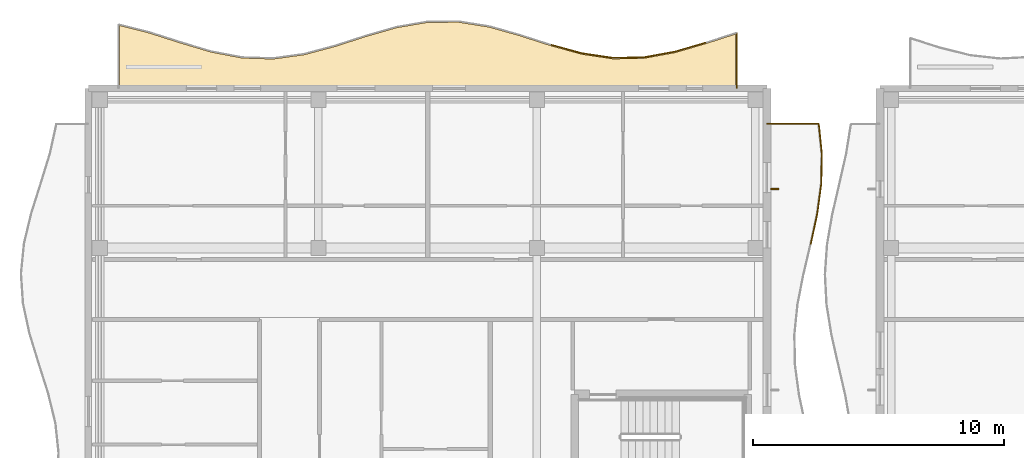
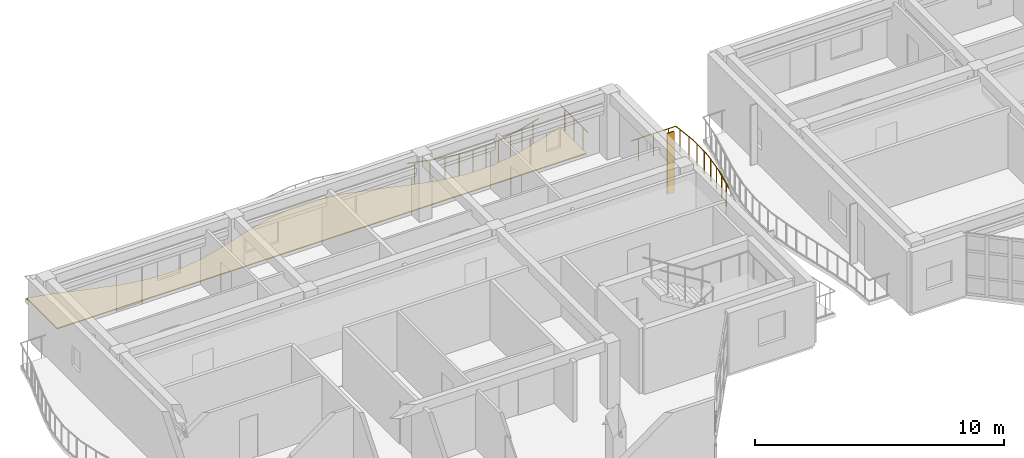
# One storey, part 58 of 76: 11 railings, 1 covering, 1 shading device.
"""IFC4 building model written with IfcOpenShell, lengths in metres."""

import ifcopenshell
import ifcopenshell.guid

model = None  # the IFC model being written
_history = None  # IfcOwnerHistory: only IFC2X3 demands one
_inside = {}  # id of a spatial element -> (the spatial element, [elements in it])
_under = {}  # id of a project, library or spatial element -> (it, [spatial elements below it])
_declared = {}  # id of a project -> (the project, [libraries it declares])
_typed = {}  # id of a type object -> (the type object, [elements of that type])
_made_of = {}  # id of a material, layer set ... -> (it, [elements and type objects made of it])


def new_model(schema):
    """Start an empty IFC model of exactly this schema.

    Asked for "IFC4X3", IfcOpenShell would pick the latest addendum, in which some entities
    have other attributes; the version numbers below select the first issue.
    IFC2X3 requires an IfcOwnerHistory on every rooted entity: one is made here for all.
    """
    global model, _history
    if schema == "IFC4X3":
        model = ifcopenshell.file(schema_version=(4, 3, 0, 0))
    else:
        model = ifcopenshell.file(schema=schema)
    _inside.clear()
    _under.clear()
    _declared.clear()
    _typed.clear()
    _made_of.clear()
    _history = None
    if model.schema == "IFC2X3":
        org = make("IfcOrganization", Name="unknown")
        user = make(
            "IfcPersonAndOrganization",
            ThePerson=make("IfcPerson", FamilyName="unknown"),
            TheOrganization=org,
        )
        app = make(
            "IfcApplication",
            ApplicationDeveloper=org,
            Version="unknown",
            ApplicationFullName="unknown",
            ApplicationIdentifier="unknown",
        )
        _history = make(
            "IfcOwnerHistory",
            OwningUser=user,
            OwningApplication=app,
            ChangeAction="ADDED",
            CreationDate=0,
        )
    return model


def make(cls, **values):
    """One entity of the class cls with the attributes given. An attribute that is None is left unset."""
    return model.create_entity(
        cls, **{name: value for name, value in values.items() if value is not None}
    )


def rooted(cls, **values):
    """An entity with a GlobalId (a new one), such as an element, a storey or a relation."""
    return make(cls, GlobalId=ifcopenshell.guid.new(), OwnerHistory=_history, **values)


def si_unit(unit_type, name, prefix=None):
    """IfcSIUnit, for example si_unit("LENGTHUNIT", "METRE", prefix="MILLI")."""
    return make("IfcSIUnit", UnitType=unit_type, Prefix=prefix, Name=name)


def assignment(units):
    """IfcUnitAssignment: the units of a project."""
    return None if units is None else make("IfcUnitAssignment", Units=units)


def point(xyz):
    """IfcCartesianPoint."""
    return None if xyz is None else make("IfcCartesianPoint", Coordinates=xyz)


def direction(xyz):
    """IfcDirection."""
    return None if xyz is None else make("IfcDirection", DirectionRatios=xyz)


def frame(location, z_axis=None, x_axis=None):
    """IfcAxis2Placement3D, a coordinate frame: its origin and axes. An axis left out is left unset."""
    return make(
        "IfcAxis2Placement3D",
        Location=point(location),
        Axis=direction(z_axis),
        RefDirection=direction(x_axis),
    )


def frame_2d(location, x_axis=None):
    """IfcAxis2Placement2D, a coordinate frame in the plane: its origin and x axis."""
    return make(
        "IfcAxis2Placement2D", Location=point(location), RefDirection=direction(x_axis)
    )


def origin():
    """The frame at (0, 0, 0) with its axes left unset."""
    return frame((0.0, 0.0, 0.0))


def origin_2d():
    """The frame at (0, 0) in the plane with its x axis left unset."""
    return frame_2d((0.0, 0.0))


def place(relative_to, where):
    """IfcLocalPlacement: puts the frame where relative to a parent placement (None: the world)."""
    return make(
        "IfcLocalPlacement", PlacementRelTo=relative_to, RelativePlacement=where
    )


def context(
    kind, dimensions, precision=None, world=None, true_north=None, identifier=None
):
    """IfcGeometricRepresentationContext, for example the 3D "Model" context."""
    return make(
        "IfcGeometricRepresentationContext",
        ContextIdentifier=identifier,
        ContextType=kind,
        CoordinateSpaceDimension=dimensions,
        Precision=precision,
        WorldCoordinateSystem=world,
        TrueNorth=true_north,
    )


def subcontext(parent, identifier, kind, view, scale=None):
    """IfcGeometricRepresentationSubContext, for example "Body" below "Model"."""
    return make(
        "IfcGeometricRepresentationSubContext",
        ContextIdentifier=identifier,
        ContextType=kind,
        ParentContext=parent,
        TargetScale=scale,
        TargetView=view,
    )


def project(units=None, contexts=None):
    """IfcProject with its units and contexts."""
    return rooted(
        "IfcProject",
        Name="project",
        RepresentationContexts=contexts,
        UnitsInContext=assignment(units),
    )


def spatial(cls, under=None, at=None, **own):
    """A site, building, storey or space (cls), placed at a placement, below another one or the project."""
    s = rooted(cls, ObjectPlacement=at, **own)
    if under is not None:
        _under.setdefault(under.id(), (under, []))[1].append(s)
    return s


def polyline(points):
    """IfcPolyline through the points."""
    return make("IfcPolyline", Points=[point(p) for p in points])


def profile(cls, at=None, kind="AREA", **sizes):
    """A parametric profile (cls). Its sizes go by their IFC names, for example OverallWidth=200.0."""
    return make(cls, ProfileType=kind, Position=at, **sizes)


def rectangle(**sizes):
    """IfcRectangleProfileDef."""
    return profile("IfcRectangleProfileDef", **sizes)


def circle(**sizes):
    """IfcCircleProfileDef."""
    return profile("IfcCircleProfileDef", **sizes)


def outline(outer, holes=None, kind="AREA"):
    """IfcArbitraryClosedProfileDef: a profile drawn as a closed curve; with holes, ...WithVoids."""
    if holes is None:
        return make("IfcArbitraryClosedProfileDef", ProfileType=kind, OuterCurve=outer)
    return make(
        "IfcArbitraryProfileDefWithVoids",
        ProfileType=kind,
        OuterCurve=outer,
        InnerCurves=holes,
    )


def extrude(swept, where, along, depth):
    """IfcExtrudedAreaSolid: the profile swept, set in the frame where, extruded along a direction by depth."""
    return make(
        "IfcExtrudedAreaSolid",
        SweptArea=swept,
        Position=where,
        ExtrudedDirection=direction(along),
        Depth=depth,
    )


def shape(context_of_items, identifier, shape_type, items):
    """IfcShapeRepresentation: the items that make up one representation, for example the "Body"."""
    return make(
        "IfcShapeRepresentation",
        ContextOfItems=context_of_items,
        RepresentationIdentifier=identifier,
        RepresentationType=shape_type,
        Items=items,
    )


def material(Name=None, Category=None):
    """IfcMaterial."""
    return make("IfcMaterial", Name=Name, Category=Category)


def layer(
    of_material, thickness, ventilated=None, Name=None, Category=None, Priority=None
):
    """IfcMaterialLayer: one layer of a wall or slab, of a material (None: an air gap)."""
    return make(
        "IfcMaterialLayer",
        Material=of_material,
        LayerThickness=thickness,
        IsVentilated=ventilated,
        Name=Name,
        Category=Category,
        Priority=Priority,
    )


def layer_set(layers, Name=None):
    """IfcMaterialLayerSet."""
    return make("IfcMaterialLayerSet", MaterialLayers=layers, LayerSetName=Name)


def made_of(thing, what):
    """Note that an element or type object is made of a material, layer set ...; save() writes the relation."""
    if what is not None:
        _made_of.setdefault(what.id(), (what, []))[1].append(thing)
    return thing


def type_object(cls, material=None, **own):
    """A type object (cls), such as IfcWallType, which elements share."""
    return made_of(rooted(cls, **own), material)


def element(
    cls,
    number,
    at=None,
    inside=None,
    cuts=None,
    type_object=None,
    material=None,
    context=None,
    identifier="Body",
    shape_type=None,
    held_by="IfcProductDefinitionShape",
    body=None,
    shapes=None,
    **own,
):
    """One element of the class cls, such as IfcWall. Its Tag is "e" and its number.

    at: its placement. inside: the storey or other place that contains it. cuts: it is an
    opening in that element (IfcRelVoidsElement). A single representation is given by context,
    identifier, shape_type and body (its items); several are given by shapes. held_by: the class
    of the entity that holds the representations. save() writes the other relations.
    """
    e = rooted(cls, Tag="e%d" % number, ObjectPlacement=at, **own)
    if body is not None:
        shapes = [shape(context, identifier, shape_type, body)]
    if shapes is not None:
        e.Representation = make(held_by, Representations=shapes)
    if inside is not None:
        _inside.setdefault(inside.id(), (inside, []))[1].append(e)
    if cuts is not None:
        rooted(
            "IfcRelVoidsElement", RelatingBuildingElement=cuts, RelatedOpeningElement=e
        )
    if type_object is not None:
        _typed.setdefault(type_object.id(), (type_object, []))[1].append(e)
    return made_of(e, material)


def aggregate(whole, parts):
    """IfcRelAggregates: a whole, such as a stair, and the parts it consists of."""
    return rooted("IfcRelAggregates", RelatingObject=whole, RelatedObjects=parts)


def save(model, path):
    """Write the relations noted so far, then the file.

    IfcRelAggregates (storeys below a building ...), IfcRelContainedInSpatialStructure (elements
    in a storey), IfcRelDefinesByType, IfcRelAssociatesMaterial and IfcRelDeclares: one each for
    every whole, place, type object, material and project.
    """
    for whole, parts in _under.values():
        aggregate(whole, parts)
    for where, things in _inside.values():
        rooted(
            "IfcRelContainedInSpatialStructure",
            RelatedElements=things,
            RelatingStructure=where,
        )
    for kind, things in _typed.values():
        rooted("IfcRelDefinesByType", RelatedObjects=things, RelatingType=kind)
    for what, things in _made_of.values():
        rooted("IfcRelAssociatesMaterial", RelatedObjects=things, RelatingMaterial=what)
    for by, libraries in _declared.values():
        rooted("IfcRelDeclares", RelatingContext=by, RelatedDefinitions=libraries)
    model.write(path)


model = new_model("IFC4")

# Units and contexts
model_context = context("Model", 3, precision=1e-05, world=origin(), true_north=direction((0.0, 1.0)))
body_context = subcontext(model_context, "Body", "Model", "MODEL_VIEW")
ifc_project = project(units=[si_unit("LENGTHUNIT", "METRE"), si_unit("AREAUNIT", "SQUARE_METRE"), si_unit("VOLUMEUNIT", "CUBIC_METRE"), si_unit("PLANEANGLEUNIT", "RADIAN"), si_unit("MASSUNIT", "GRAM", prefix="KILO")], contexts=[model_context])

# Site, building, storey
site_placement = place(None, origin())
site = spatial("IfcSite", under=ifc_project, at=site_placement, CompositionType="ELEMENT")
building_placement = place(site_placement, origin())
building = spatial("IfcBuilding", under=site, at=building_placement, Name="Keldmere Railside Commons", CompositionType="ELEMENT")
storey_placement = place(building_placement, frame((0.0, 0.0, 13.760009765625)))
storey = spatial("IfcBuildingStorey", under=building, at=storey_placement, Name="L04", CompositionType="ELEMENT", Elevation=13.760009765625)

# Railings
ifc_material_1 = material(Name="Steel F-24 (S235)", Category="steel")
railing_type = type_object("IfcRailingType", Name="Balcony & Terrace Steel Balustrade 1100", PredefinedType="BALUSTRADE", material=ifc_material_1)
railing_1_placement = place(storey_placement, frame((26.419921875, 117.736328125, 0.0)))
element("IfcRailing", 1, at=railing_1_placement, inside=storey, type_object=railing_type, Name="GR-1 GRD-L04-0394", PredefinedType="BALUSTRADE", context=body_context, shape_type="SweptSolid", body=[
    extrude(circle(Radius=0.02392578125, at=origin_2d()), frame((0.0, 0.0, 1.076171875), z_axis=(0.964325189833, -0.264720471921, 0.0), x_axis=(0.264720471921, 0.964325189833, 0.0)), (0.0, 0.0, 1.0), 1.275390625),
    extrude(circle(Radius=0.02099609375, at=origin_2d()), frame((0.3076171875, -0.08447265625, 0.0)), (0.0, 0.0, 1.0), 1.048095703125),
    extrude(circle(Radius=0.02099609375, at=origin_2d()), frame((0.92236328125, -0.253173828125, 0.0)), (0.0, 0.0, 1.0), 1.048095703125),
])
railing_2_placement = place(storey_placement, frame((27.64990234375, 117.398681640625, 0.0)))
element("IfcRailing", 2, at=railing_2_placement, inside=storey, type_object=railing_type, Name="GR-1 GRD-L04-0395", PredefinedType="BALUSTRADE", context=body_context, shape_type="SweptSolid", body=[
    extrude(circle(Radius=0.02392578125, at=origin_2d()), frame((0.0, 0.0, 1.076171875), z_axis=(0.989185533545, -0.146669629527, 0.0), x_axis=(0.146669629527, 0.989185533545, 0.0)), (0.0, 0.0, 1.0), 1.243408203125),
    extrude(circle(Radius=0.02099609375, at=origin_2d()), frame((0.3076171875, -0.045654296875, 0.0)), (0.0, 0.0, 1.0), 1.048095703125),
    extrude(circle(Radius=0.02099609375, at=origin_2d()), frame((0.92236328125, -0.13671875, 0.0)), (0.0, 0.0, 1.0), 1.048095703125),
])
railing_3_placement = place(storey_placement, frame((28.8798828125, 117.21630859375, 0.0)))
element("IfcRailing", 3, at=railing_3_placement, inside=storey, type_object=railing_type, Name="GR-1 GRD-L04-0396", PredefinedType="BALUSTRADE", context=body_context, shape_type="SweptSolid", body=[
    extrude(circle(Radius=0.02392578125, at=origin_2d()), frame((0.0, 0.0, 1.076171875), z_axis=(0.999814773091, 0.019246285571, 0.0), x_axis=(-0.019246285571, 0.999814773091, 0.0)), (0.0, 0.0, 1.0), 1.23046875),
    extrude(circle(Radius=0.02099609375, at=origin_2d()), frame((0.3076171875, 0.005859375, 0.0)), (0.0, 0.0, 1.0), 1.048095703125),
    extrude(circle(Radius=0.02099609375, at=origin_2d()), frame((0.922607421875, 0.017822265625, 0.0)), (0.0, 0.0, 1.0), 1.048095703125),
])
railing_4_placement = place(storey_placement, frame((30.110107421875, 117.239990234375, 0.0)))
element("IfcRailing", 4, at=railing_4_placement, inside=storey, type_object=railing_type, Name="GR-1 GRD-L04-0397", PredefinedType="BALUSTRADE", context=body_context, shape_type="SweptSolid", body=[
    extrude(circle(Radius=0.02392578125, at=origin_2d()), frame((0.0, 0.0, 1.076171875), z_axis=(0.983904264139, 0.17869638779, 0.0), x_axis=(-0.17869638779, 0.983904264139, 0.0)), (0.0, 0.0, 1.0), 1.25),
    extrude(circle(Radius=0.02099609375, at=origin_2d()), frame((0.3076171875, 0.055908203125, 0.0)), (0.0, 0.0, 1.0), 1.048095703125),
    extrude(circle(Radius=0.02099609375, at=origin_2d()), frame((0.92236328125, 0.16748046875, 0.0)), (0.0, 0.0, 1.0), 1.048095703125),
])
railing_5_placement = place(storey_placement, frame((31.340087890625, 117.46337890625, 0.0)))
element("IfcRailing", 5, at=railing_5_placement, inside=storey, type_object=railing_type, Name="GR-1 GRD-L04-0398", PredefinedType="BALUSTRADE", context=body_context, shape_type="SweptSolid", body=[
    extrude(circle(Radius=0.02392578125, at=origin_2d()), frame((0.0, 0.0, 1.076171875), z_axis=(0.959713604741, 0.280980064905, 0.0), x_axis=(-0.280980064905, 0.959713604741, 0.0)), (0.0, 0.0, 1.0), 1.281494140625),
    extrude(circle(Radius=0.02099609375, at=origin_2d()), frame((0.3076171875, 0.090087890625, 0.0)), (0.0, 0.0, 1.0), 1.048095703125),
    extrude(circle(Radius=0.02099609375, at=origin_2d()), frame((0.92236328125, 0.27001953125, 0.0)), (0.0, 0.0, 1.0), 1.048095703125),
])
railing_6_placement = place(storey_placement, frame((33.800048828125, 118.219482421875, 0.0)))
element("IfcRailing", 6, at=railing_6_placement, inside=storey, type_object=railing_type, Name="GR-1 GRD-L04-0400", PredefinedType="BALUSTRADE", context=body_context, shape_type="SweptSolid", body=[
    extrude(circle(Radius=0.02392578125, at=origin_2d()), frame((0.0, 0.0, 1.076171875), z_axis=(0.0, -1.0, 0.0), x_axis=(1.0, 0.0, 0.0)), (0.0, 0.0, 1.0), 2.219482421875),
    extrude(circle(Radius=0.02099609375, at=origin_2d()), frame((0.0, -0.369873046875, 0.0)), (0.0, 0.0, 1.0), 1.048095703125),
    extrude(circle(Radius=0.02099609375, at=origin_2d()), frame((0.0, -1.10986328125, 0.0)), (0.0, 0.0, 1.0), 1.048095703125),
    extrude(circle(Radius=0.02099609375, at=origin_2d()), frame((0.0, -1.849609375, 0.0)), (0.0, 0.0, 1.0), 1.048095703125),
])
railing_7_placement = place(storey_placement, frame((36.74951171875, 109.800048828125, 0.0)))
element("IfcRailing", 7, at=railing_7_placement, inside=storey, type_object=railing_type, Name="GR-1 GRD-L04-0485", PredefinedType="BALUSTRADE", context=body_context, shape_type="SweptSolid", body=[
    extrude(circle(Radius=0.02392578125, at=origin_2d()), frame((0.0, 0.0, 1.076171875), z_axis=(0.209488329232, 0.977811147367, 0.0), x_axis=(-0.977811147367, 0.209488329232, 0.0)), (0.0, 0.0, 1.0), 1.227294921875),
    extrude(circle(Radius=0.02099609375, at=origin_2d()), frame((0.064208984375, 0.300048828125, 0.0)), (0.0, 0.0, 1.0), 1.048095703125),
    extrude(circle(Radius=0.02099609375, at=origin_2d()), frame((0.19287109375, 0.89990234375, 0.0)), (0.0, 0.0, 1.0), 1.048095703125),
])
railing_8_placement = place(storey_placement, frame((37.006591796875, 111.0, 0.0)))
element("IfcRailing", 8, at=railing_8_placement, inside=storey, type_object=railing_type, Name="GR-1 GRD-L04-0486", PredefinedType="BALUSTRADE", context=body_context, shape_type="SweptSolid", body=[
    extrude(circle(Radius=0.02392578125, at=origin_2d()), frame((0.0, 0.0, 1.076171875), z_axis=(0.133484375888, 0.991050917659, 0.0), x_axis=(-0.991050917659, 0.133484375888, 0.0)), (0.0, 0.0, 1.0), 1.210693359375),
    extrude(circle(Radius=0.02099609375, at=origin_2d()), frame((0.04052734375, 0.300048828125, 0.0)), (0.0, 0.0, 1.0), 1.048095703125),
    extrude(circle(Radius=0.02099609375, at=origin_2d()), frame((0.12109375, 0.89990234375, 0.0)), (0.0, 0.0, 1.0), 1.048095703125),
])
railing_9_placement = place(storey_placement, frame((37.168212890625, 112.199951171875, 0.0)))
element("IfcRailing", 9, at=railing_9_placement, inside=storey, type_object=railing_type, Name="GR-1 GRD-L04-0487", PredefinedType="BALUSTRADE", context=body_context, shape_type="SweptSolid", body=[
    extrude(circle(Radius=0.02392578125, at=origin_2d()), frame((0.0, 0.0, 1.076171875), z_axis=(0.018918282013, 0.999821033288, 0.0), x_axis=(-0.999821033288, 0.018918282013, 0.0)), (0.0, 0.0, 1.0), 1.2001953125),
    extrude(circle(Radius=0.02099609375, at=origin_2d()), frame((0.005615234375, 0.300048828125, 0.0)), (0.0, 0.0, 1.0), 1.048095703125),
    extrude(circle(Radius=0.02099609375, at=origin_2d()), frame((0.01708984375, 0.89990234375, 0.0)), (0.0, 0.0, 1.0), 1.048095703125),
])
railing_10_placement = place(storey_placement, frame((37.19091796875, 113.39990234375, 0.0)))
element("IfcRailing", 10, at=railing_10_placement, inside=storey, type_object=railing_type, Name="GR-1 GRD-L04-0488", PredefinedType="BALUSTRADE", context=body_context, shape_type="SweptSolid", body=[
    extrude(circle(Radius=0.02392578125, at=origin_2d()), frame((0.0, 0.0, 1.076171875), z_axis=(-0.101386977034, 0.99484706407, 0.0), x_axis=(-0.99484706407, -0.101386977034, 0.0)), (0.0, 0.0, 1.0), 1.206298828125),
    extrude(circle(Radius=0.02099609375, at=origin_2d()), frame((-0.030517578125, 0.300048828125, 0.0)), (0.0, 0.0, 1.0), 1.048095703125),
    extrude(circle(Radius=0.02099609375, at=origin_2d()), frame((-0.091796875, 0.900146484375, 0.0)), (0.0, 0.0, 1.0), 1.048095703125),
])
railing_11_placement = place(storey_placement, frame((37.068603515625, 114.60009765625, 0.0)))
element("IfcRailing", 11, at=railing_11_placement, inside=storey, type_object=railing_type, Name="GR-1 GRD-L04-0489", PredefinedType="BALUSTRADE", context=body_context, shape_type="SweptSolid", body=[
    extrude(circle(Radius=0.02392578125, at=origin_2d()), frame((0.0, 0.0, 1.076171875), z_axis=(-1.0, 0.0, 0.0), x_axis=(0.0, -1.0, 0.0)), (0.0, 0.0, 1.0), 2.068603515625),
    extrude(circle(Radius=0.02099609375, at=origin_2d()), frame((-0.3447265625, 0.0, 0.0)), (0.0, 0.0, 1.0), 1.048095703125),
    extrude(circle(Radius=0.02099609375, at=origin_2d()), frame((-1.0341796875, 0.0, 0.0)), (0.0, 0.0, 1.0), 1.048095703125),
    extrude(circle(Radius=0.02099609375, at=origin_2d()), frame((-1.723876953125, 0.0, 0.0)), (0.0, 0.0, 1.0), 1.048095703125),
])

# Shading device
ifc_layer_1 = layer(ifc_material_1, 0.06005859375, Name="East-West Vertical Brise-Soleil Fin 320x60")
ifc_layer_set_1 = layer_set([ifc_layer_1], Name="Steel F-24 (S235)")
shading_device_type = type_object("IfcShadingDeviceType", Name="East-West Vertical Brise-Soleil Fin 320x60", PredefinedType="USERDEFINED", material=ifc_layer_set_1)
shading_device_placement = place(storey_placement, frame((35.318115234375, 112.0, 0.0), z_axis=(0.0, 0.0, 1.0), x_axis=(1.0, 0.0, 0.0)))
element("IfcShadingDevice", 12, at=shading_device_placement, inside=storey, type_object=shading_device_type, Name="FIN-1 Solar Fin 003", ObjectType="FIN", PredefinedType="USERDEFINED", context=body_context, shape_type="SweptSolid", body=[
    extrude(rectangle(XDim=0.320068359375, YDim=0.06005859375, at=origin_2d()), origin(), (0.0, 0.0, 1.0), 2.97998046875),
])

# Covering
ifc_material_2 = material(Name="White Precast Concrete C35/45", Category="concrete")
ifc_layer_2 = layer(ifc_material_2, 0.044921875, Name="White Architectural Balcony Ribbon Cladding 45")
ifc_layer_set_2 = layer_set([ifc_layer_2], Name="White Precast Concrete C35/45")
covering_type = type_object("IfcCoveringType", Name="White Architectural Balcony Ribbon Cladding 45", PredefinedType="FLOORING", material=ifc_layer_set_2)
covering_placement = place(storey_placement, origin())
element("IfcCovering", 13, at=covering_placement, inside=storey, type_object=covering_type, Name="CLG-WB D L04 N White Balcony Ribbon", PredefinedType="FLOORING", context=body_context, shape_type="SweptSolid", body=[
    extrude(outline(polyline([(33.760009765625, 116.0400390625), (33.760009765625, 118.16455078125), (32.582275390625, 117.785400390625), (32.581298828125, 117.78515625), (31.351318359375, 117.425048828125), (31.34716796875, 117.424072265625), (30.1171875, 117.20068359375), (30.114013671875, 117.2001953125), (30.11083984375, 117.199951171875), (28.880859375, 117.17626953125), (28.87744140625, 117.176513671875), (28.8740234375, 117.1767578125), (27.64404296875, 117.359130859375), (27.639404296875, 117.360107421875), (26.409423828125, 117.69775390625), (26.40771484375, 117.6982421875), (25.178466796875, 118.095703125), (23.951416015625, 118.44091796875), (22.726806640625, 118.63671875), (21.50341796875, 118.62939453125), (20.27880859375, 118.42041015625), (19.0517578125, 118.068359375), (17.822265625, 117.67138671875), (17.8203125, 117.6708984375), (16.59033203125, 117.341552734375), (16.58544921875, 117.340576171875), (15.35546875, 117.17138671875), (15.35205078125, 117.1708984375), (15.3486328125, 117.1708984375), (14.11865234375, 117.209716796875), (14.115478515625, 117.209716796875), (14.112548828125, 117.210205078125), (12.882568359375, 117.44580078125), (12.878662109375, 117.447021484375), (11.648681640625, 117.81298828125), (11.647705078125, 117.813232421875), (10.4189453125, 118.206787109375), (9.239990234375, 118.5048828125), (9.239990234375, 116.0400390625), (33.760009765625, 116.0400390625)])), origin(), (0.0, 0.0, 1.0), 0.044921875),
])

save(model, "model.ifc")
